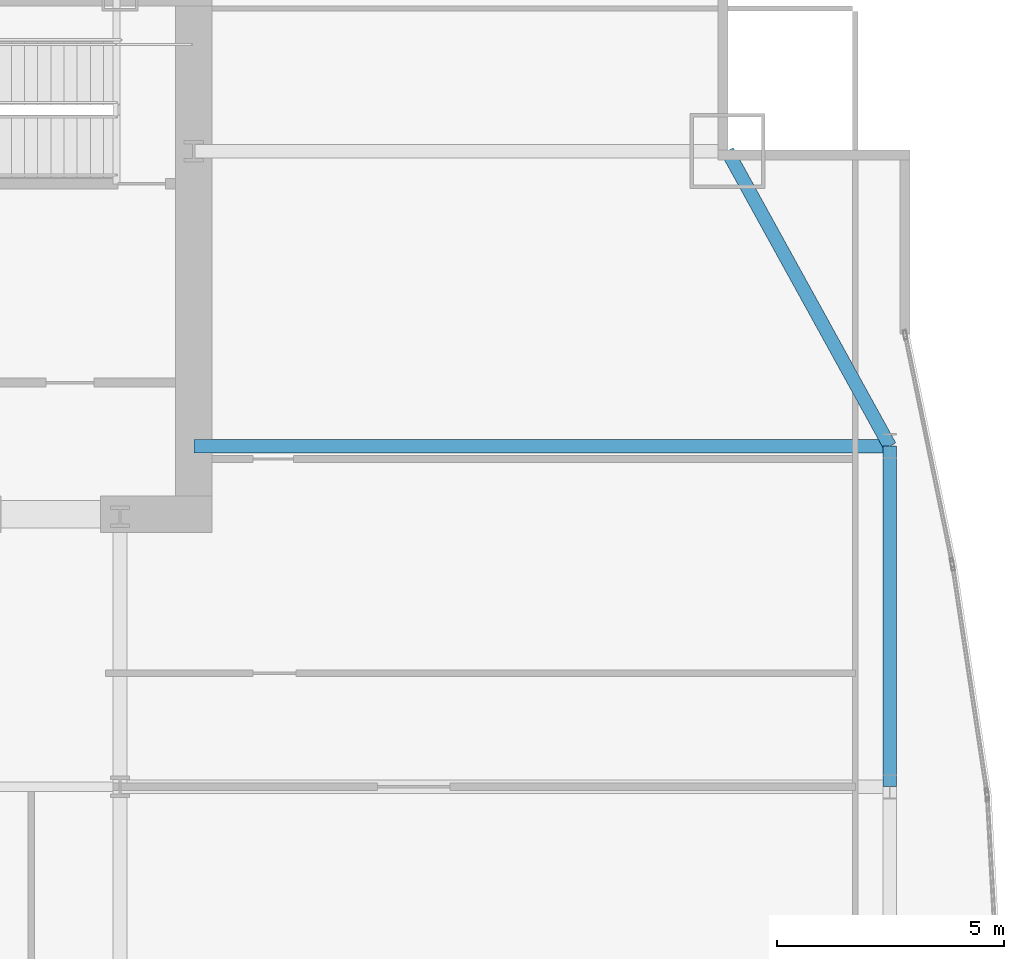
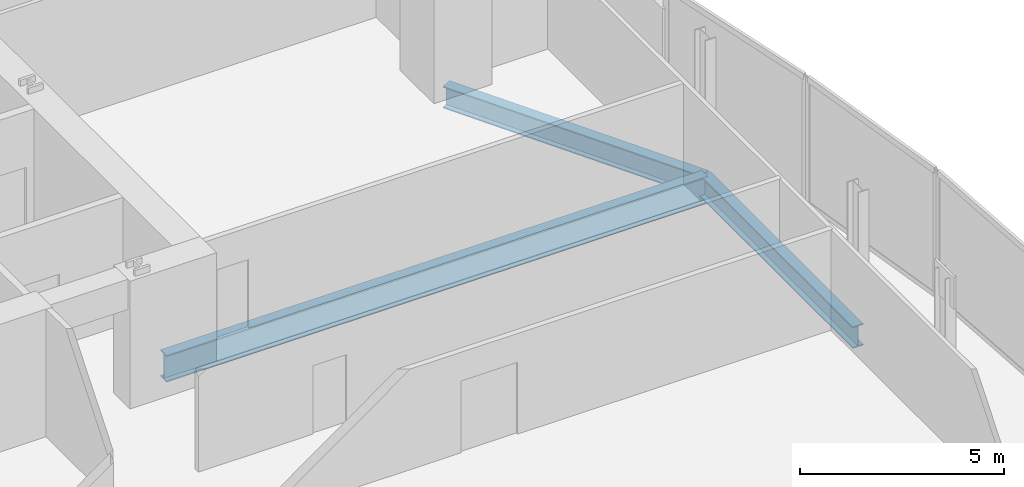
# One storey, part 25 of 36: 3 beams.
"""IFC4 building model written with IfcOpenShell, lengths in metres."""

from ifc_helpers import new_model, si_unit, direction, frame, origin, origin_2d, place, context, subcontext, project, spatial, i_section, extrude, material, material_profile, profile_set, type_object, element, save


model = new_model("IFC4")

# Units and contexts
model_context = context("Model", 3, precision=1e-05, world=origin(), true_north=direction((0.0, 1.0)))
body_context = subcontext(model_context, "Body", "Model", "MODEL_VIEW")
ifc_project = project(units=[si_unit("LENGTHUNIT", "METRE"), si_unit("AREAUNIT", "SQUARE_METRE"), si_unit("VOLUMEUNIT", "CUBIC_METRE"), si_unit("PLANEANGLEUNIT", "RADIAN"), si_unit("MASSUNIT", "GRAM", prefix="KILO")], contexts=[model_context])

# Site, building, storey
site_placement = place(None, origin())
site = spatial("IfcSite", under=ifc_project, at=site_placement, CompositionType="ELEMENT")
building_placement = place(site_placement, origin())
building = spatial("IfcBuilding", under=site, at=building_placement, Name="Khoronbel Lancet Exchange", CompositionType="ELEMENT")
storey_placement = place(building_placement, frame((0.0, 0.0, 57.800048828125)))
storey = spatial("IfcBuildingStorey", under=building, at=storey_placement, Name="L13", CompositionType="ELEMENT", Elevation=57.800048828125)

# Beams
ifc_material = material(Name="Steel S355", Category="steel")
ifc_material_profile_1 = material_profile(ifc_material, i_section(OverallWidth=0.300048828125, OverallDepth=0.800048828125, WebThickness=0.017578125, FlangeThickness=0.032958984375, at=origin_2d()), Name="HEB 800")
ifc_profile_set_1 = profile_set([ifc_material_profile_1], Name="Steel S355")
beam_type_1 = type_object("IfcBeamType", Name="BM-BG2", PredefinedType="BEAM", material=ifc_profile_set_1)
beam_1_placement = place(storey_placement, frame((56.300048828125, 43.199951171875, -0.580078125), z_axis=(1.0, 0.0, 0.0), x_axis=(0.0, 1.0, 0.0)))
element("IfcBeam", 1, at=beam_1_placement, inside=storey, type_object=beam_type_1, Name="Level L13 east lens tie girder LG3E", PredefinedType="BEAM", context=body_context, shape_type="SweptSolid", body=[
    extrude(i_section(OverallWidth=0.300048828125, OverallDepth=0.800048828125, WebThickness=0.017578125, FlangeThickness=0.032958984375, at=origin_2d()), origin(), (0.0, 0.0, 1.0), 15.329833984375),
])
ifc_material_profile_2 = material_profile(ifc_material, i_section(OverallWidth=0.300048828125, OverallDepth=0.64990234375, WebThickness=0.01611328125, FlangeThickness=0.031005859375, at=origin_2d()), Name="HEB 650")
ifc_profile_set_2 = profile_set([ifc_material_profile_2], Name="Steel S355")
beam_type_2 = type_object("IfcBeamType", Name="BM-BSP1", PredefinedType="SPANDREL", material=ifc_profile_set_2)
beam_2_placement = place(storey_placement, frame((71.6298828125, 35.699951171875, -0.505126953125), z_axis=(0.0, 1.0, 0.0), x_axis=(-1.0, 0.0, 0.0)))
element("IfcBeam", 2, at=beam_2_placement, inside=storey, type_object=beam_type_2, Name="Level L13 perimeter spandrel beam SP14", PredefinedType="SPANDREL", context=body_context, shape_type="SweptSolid", body=[
    extrude(i_section(OverallWidth=0.300048828125, OverallDepth=0.64990234375, WebThickness=0.01611328125, FlangeThickness=0.031005859375, at=origin_2d()), origin(), (0.0, 0.0, 1.0), 7.5),
])
beam_3_placement = place(storey_placement, frame((71.6298828125, 43.199951171875, -0.505126953125), z_axis=(-0.482418808117, 0.875940690672, 0.0), x_axis=(-0.875940690672, -0.482418808117, 0.0)))
element("IfcBeam", 3, at=beam_3_placement, inside=storey, type_object=beam_type_2, Name="Level L13 perimeter spandrel beam SP15", PredefinedType="SPANDREL", context=body_context, shape_type="SweptSolid", body=[
    extrude(i_section(OverallWidth=0.300048828125, OverallDepth=0.64990234375, WebThickness=0.01611328125, FlangeThickness=0.031005859375, at=origin_2d()), origin(), (0.0, 0.0, 1.0), 7.420654296875),
])

save(model, "model.ifc")
